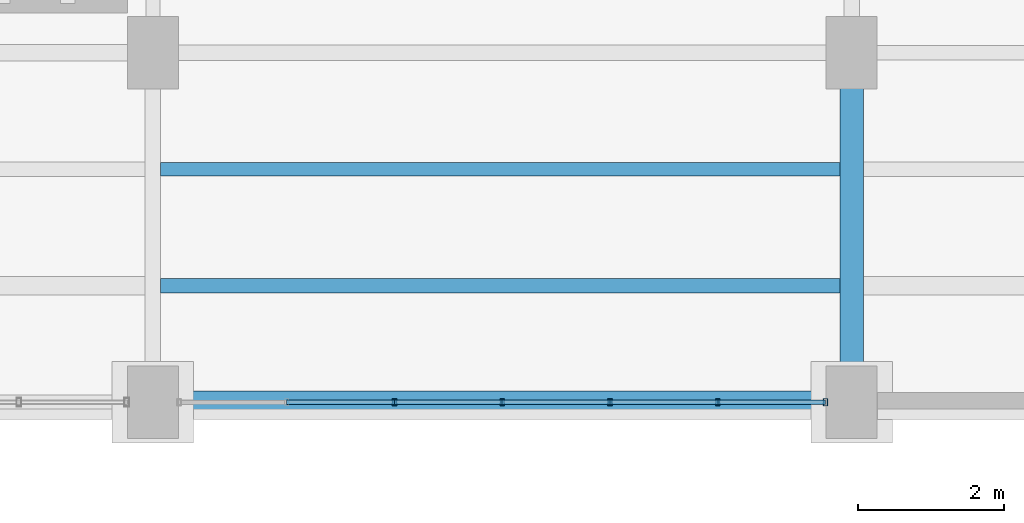
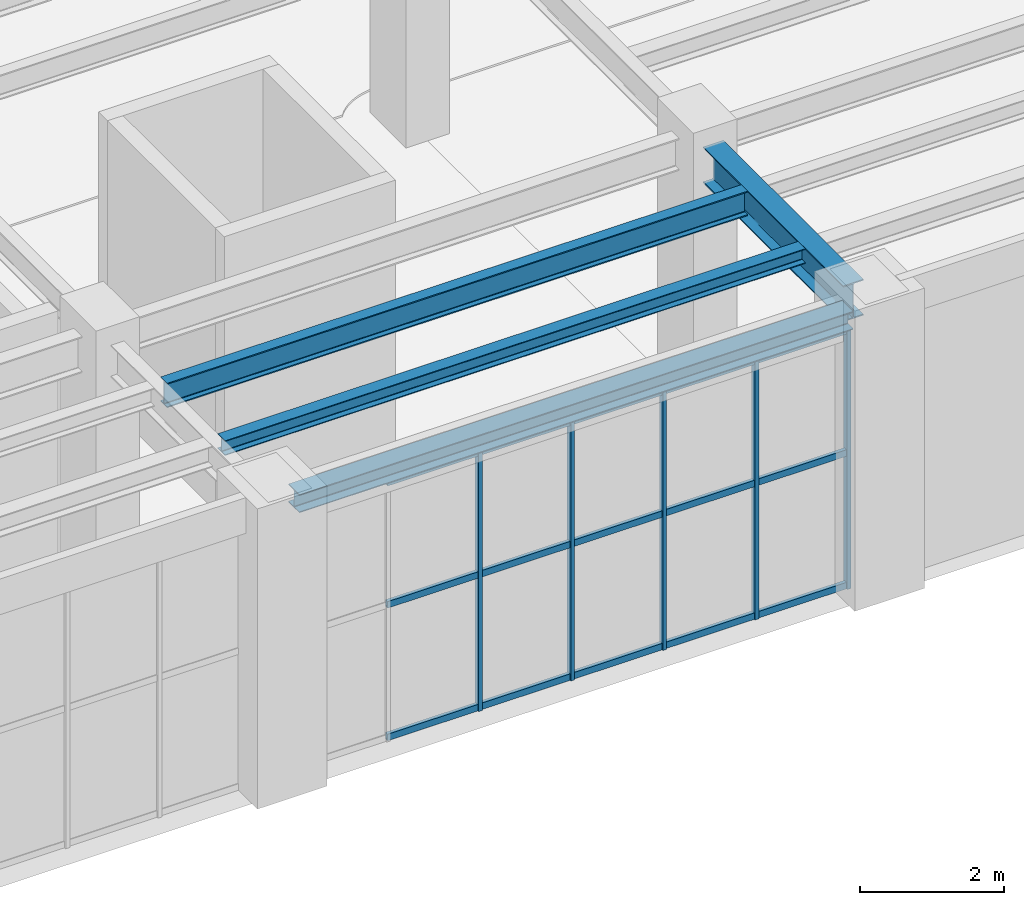
# One storey, part 58 of 174: 20 members, 4 beams, 1 element without a shape of its own.
"""IFC4 building model written with IfcOpenShell, lengths in metres."""

from ifc_helpers import new_model, si_unit, direction, frame, origin, origin_2d, place, context, subcontext, project, spatial, hollow_rectangle, i_section, extrude, material, material_profile, profile_set, type_object, element, aggregate, save


model = new_model("IFC4")

# Units and contexts
model_context = context("Model", 3, precision=1e-05, world=origin(), true_north=direction((0.0, 1.0)))
body_context = subcontext(model_context, "Body", "Model", "MODEL_VIEW")
ifc_project = project(units=[si_unit("LENGTHUNIT", "METRE"), si_unit("AREAUNIT", "SQUARE_METRE"), si_unit("VOLUMEUNIT", "CUBIC_METRE"), si_unit("PLANEANGLEUNIT", "RADIAN"), si_unit("MASSUNIT", "GRAM", prefix="KILO")], contexts=[model_context])

# Site, building, storey
site_placement = place(None, origin())
site = spatial("IfcSite", under=ifc_project, at=site_placement, CompositionType="ELEMENT")
building_placement = place(site_placement, origin())
building = spatial("IfcBuilding", under=site, at=building_placement, Name="Mavantir Sound Aquarium", CompositionType="ELEMENT")
storey_placement = place(building_placement, frame((0.0, 0.0, 5.39990234375)))
storey = spatial("IfcBuildingStorey", under=building, at=storey_placement, Name="L01", CompositionType="ELEMENT", Elevation=5.39990234375)

# Beams
ifc_material_1 = material(Name="Structural Steel ASTM A992 Gr50", Category="steel")
ifc_material_profile_1 = material_profile(ifc_material_1, i_section(OverallWidth=0.202880859375, OverallDepth=0.251953125, WebThickness=0.008056640625, FlangeThickness=0.013427734375, FilletRadius=0.011962890625, at=origin_2d()), Name="W250X58")
ifc_profile_set_1 = profile_set([ifc_material_profile_1], Name="Structural Steel ASTM A992 Gr50")
beam_type_1 = type_object("IfcBeamType", Name="BM-W250X58-I", PredefinedType="JOIST", material=ifc_profile_set_1)
beam_1_placement = place(storey_placement, frame((117.7060546875, 37.60009765625, 4.650146484375), z_axis=(1.0, 0.0, 0.0), x_axis=(0.0, 1.0, 0.0)))
element("IfcBeam", 1, at=beam_1_placement, inside=storey, type_object=beam_type_1, Name="L01 secondary floor joist SJ-25 724", PredefinedType="JOIST", context=body_context, shape_type="SweptSolid", body=[
    extrude(i_section(OverallWidth=0.202880859375, OverallDepth=0.251953125, WebThickness=0.008056640625, FlangeThickness=0.013427734375, FilletRadius=0.011962890625, at=origin_2d()), origin(), (0.0, 0.0, 1.0), 9.33203125),
])
ifc_material_profile_2 = material_profile(ifc_material_1, i_section(OverallWidth=0.304931640625, OverallDepth=0.30810546875, WebThickness=0.010009765625, FlangeThickness=0.015380859375, FilletRadius=0.014892578125, at=origin_2d()), Name="W310X97")
ifc_profile_set_2 = profile_set([ifc_material_profile_2], Name="Structural Steel ASTM A992 Gr50")
beam_type_2 = type_object("IfcBeamType", Name="BM-W310X97-E", PredefinedType="SPANDREL", material=ifc_profile_set_2)
beam_2_placement = place(storey_placement, frame((117.949951171875, 36.0, 4.6220703125), z_axis=(1.0, 0.0, 0.0), x_axis=(0.0, 1.0, 0.0)))
element("IfcBeam", 2, at=beam_2_placement, inside=storey, type_object=beam_type_2, Name="L01 primary beam SS-31A 1239", PredefinedType="SPANDREL", context=body_context, shape_type="SweptSolid", body=[
    extrude(i_section(OverallWidth=0.304931640625, OverallDepth=0.30810546875, WebThickness=0.010009765625, FlangeThickness=0.015380859375, FilletRadius=0.014892578125, at=origin_2d()), origin(), (0.0, 0.0, 1.0), 8.900146484375),
])
ifc_material_profile_3 = material_profile(ifc_material_1, i_section(OverallWidth=0.180908203125, OverallDepth=0.4169921875, WebThickness=0.010986328125, FlangeThickness=0.018310546875, FilletRadius=0.014892578125, at=origin_2d()), Name="W410X85")
ifc_profile_set_3 = profile_set([ifc_material_profile_3], Name="Structural Steel ASTM A992 Gr50")
beam_type_3 = type_object("IfcBeamType", Name="BM-W410X85-I", PredefinedType="JOIST", material=ifc_profile_set_3)
beam_3_placement = place(storey_placement, frame((117.7060546875, 39.199951171875, 4.567626953125), z_axis=(1.0, 0.0, 0.0), x_axis=(0.0, 1.0, 0.0)))
element("IfcBeam", 3, at=beam_3_placement, inside=storey, type_object=beam_type_3, Name="L01 secondary floor joist SJ-41 725", PredefinedType="JOIST", context=body_context, shape_type="SweptSolid", body=[
    extrude(i_section(OverallWidth=0.180908203125, OverallDepth=0.4169921875, WebThickness=0.010986328125, FlangeThickness=0.018310546875, FilletRadius=0.014892578125, at=origin_2d()), origin(), (0.0, 0.0, 1.0), 9.33203125),
])
ifc_material_profile_4 = material_profile(ifc_material_1, i_section(OverallWidth=0.323974609375, OverallDepth=0.611083984375, WebThickness=0.0126953125, FlangeThickness=0.01904296875, FilletRadius=0.01904296875, at=origin_2d()), Name="W610X155")
ifc_profile_set_4 = profile_set([ifc_material_profile_4], Name="Structural Steel ASTM A992 Gr50")
beam_type_4 = type_object("IfcBeamType", Name="BM-W610X155-I", PredefinedType="BEAM", material=ifc_profile_set_4)
beam_4_placement = place(storey_placement, frame((127.199951171875, 36.449951171875, 4.470703125), z_axis=(0.0, 1.0, 0.0), x_axis=(-1.0, 0.0, 0.0)))
element("IfcBeam", 4, at=beam_4_placement, inside=storey, type_object=beam_type_4, Name="L01 primary girder SB-61A 1312", PredefinedType="BEAM", context=body_context, shape_type="SweptSolid", body=[
    extrude(i_section(OverallWidth=0.323974609375, OverallDepth=0.611083984375, WebThickness=0.0126953125, FlangeThickness=0.01904296875, FilletRadius=0.01904296875, at=origin_2d()), origin(), (0.0, 0.0, 1.0), 3.900146484375),
])

# Curtain wall, members
ifc_material_2 = material(Name="Anodised Marine Aluminium and Low-E Glass", Category="aluminium")
curtain_wall_type = type_object("IfcCurtainWallType", Name="CW-T03", PredefinedType="USERDEFINED", material=ifc_material_2)
curtain_wall_placement = place(storey_placement, origin())
curtain_wall = element("IfcCurtainWall", 5, at=curtain_wall_placement, inside=storey, type_object=curtain_wall_type, Name="L01 unitised curtain wall CW-03 99", ObjectType="UNITISED GLAZING", PredefinedType="USERDEFINED")
ifc_material_3 = material(Name="Anodised Marine Aluminium 6063-T6", Category="aluminium")
ifc_material_profile_5 = material_profile(ifc_material_3, hollow_rectangle(XDim=0.06005859375, YDim=0.10009765625, WallThickness=0.00390625, at=origin_2d()), Name="ALU-MULLION-100X60")
ifc_profile_set_5 = profile_set([ifc_material_profile_5], Name="Anodised Marine Aluminium 6063-T6")
member_type_1 = type_object("IfcMemberType", Name="CW-MUL-100", PredefinedType="MULLION", material=ifc_profile_set_5)
member_1_placement = place(storey_placement, frame((120.919189453125, 36.0, 0.0), z_axis=(0.0, 0.0, 1.0), x_axis=(1.0, 0.0, 0.0)))
member_1 = element("IfcMember", 6, at=member_1_placement, type_object=member_type_1, Name="CW-L01-099 vertical mullion 3", PredefinedType="MULLION", context=body_context, shape_type="SweptSolid", body=[
    extrude(hollow_rectangle(XDim=0.06005859375, YDim=0.10009765625, WallThickness=0.00390625, at=origin_2d()), origin(), (0.0, 0.0, 1.0), 4.43798828125),
])
member_2_placement = place(storey_placement, frame((122.39990234375, 36.0, 0.0), z_axis=(0.0, 0.0, 1.0), x_axis=(1.0, 0.0, 0.0)))
member_2 = element("IfcMember", 7, at=member_2_placement, type_object=member_type_1, Name="CW-L01-099 vertical mullion 4", PredefinedType="MULLION", context=body_context, shape_type="SweptSolid", body=[
    extrude(hollow_rectangle(XDim=0.06005859375, YDim=0.10009765625, WallThickness=0.00390625, at=origin_2d()), origin(), (0.0, 0.0, 1.0), 4.43798828125),
])
member_3_placement = place(storey_placement, frame((123.880615234375, 36.0, 0.0), z_axis=(0.0, 0.0, 1.0), x_axis=(1.0, 0.0, 0.0)))
member_3 = element("IfcMember", 8, at=member_3_placement, type_object=member_type_1, Name="CW-L01-099 vertical mullion 5", PredefinedType="MULLION", context=body_context, shape_type="SweptSolid", body=[
    extrude(hollow_rectangle(XDim=0.06005859375, YDim=0.10009765625, WallThickness=0.00390625, at=origin_2d()), origin(), (0.0, 0.0, 1.0), 4.43798828125),
])
member_4_placement = place(storey_placement, frame((125.361328125, 36.0, 0.0), z_axis=(0.0, 0.0, 1.0), x_axis=(1.0, 0.0, 0.0)))
member_4 = element("IfcMember", 9, at=member_4_placement, type_object=member_type_1, Name="CW-L01-099 vertical mullion 6", PredefinedType="MULLION", context=body_context, shape_type="SweptSolid", body=[
    extrude(hollow_rectangle(XDim=0.06005859375, YDim=0.10009765625, WallThickness=0.00390625, at=origin_2d()), origin(), (0.0, 0.0, 1.0), 4.43798828125),
])
member_5_placement = place(storey_placement, frame((126.842041015625, 36.0, 0.0), z_axis=(0.0, 0.0, 1.0), x_axis=(1.0, 0.0, 0.0)))
member_5 = element("IfcMember", 10, at=member_5_placement, type_object=member_type_1, Name="CW-L01-099 vertical mullion 7", PredefinedType="MULLION", context=body_context, shape_type="SweptSolid", body=[
    extrude(hollow_rectangle(XDim=0.06005859375, YDim=0.10009765625, WallThickness=0.00390625, at=origin_2d()), origin(), (0.0, 0.0, 1.0), 4.43798828125),
])
ifc_material_profile_6 = material_profile(ifc_material_3, hollow_rectangle(XDim=0.06005859375, YDim=0.110107421875, WallThickness=0.00390625, at=origin_2d()), Name="ALU-TRANSOM-110X60")
ifc_profile_set_6 = profile_set([ifc_material_profile_6], Name="Anodised Marine Aluminium 6063-T6")
member_type_2 = type_object("IfcMemberType", Name="CW-TRN-110", PredefinedType="USERDEFINED", material=ifc_profile_set_6)
member_6_placement = place(storey_placement, frame((119.438720703125, 36.0, 0.05517578125), z_axis=(1.0, 0.0, 0.0), x_axis=(0.0, 1.0, 0.0)))
member_6 = element("IfcMember", 11, at=member_6_placement, type_object=member_type_2, Name="CW-L01-099 transom 2.1", ObjectType="TRANSOM", PredefinedType="USERDEFINED", context=body_context, shape_type="SweptSolid", body=[
    extrude(hollow_rectangle(XDim=0.06005859375, YDim=0.110107421875, WallThickness=0.00390625, at=origin_2d()), origin(), (0.0, 0.0, 1.0), 1.48046875),
])
member_7_placement = place(storey_placement, frame((119.438720703125, 36.0, 2.307861328125), z_axis=(1.0, 0.0, 0.0), x_axis=(0.0, 1.0, 0.0)))
member_7 = element("IfcMember", 12, at=member_7_placement, type_object=member_type_2, Name="CW-L01-099 transom 2.2", ObjectType="TRANSOM", PredefinedType="USERDEFINED", context=body_context, shape_type="SweptSolid", body=[
    extrude(hollow_rectangle(XDim=0.06005859375, YDim=0.110107421875, WallThickness=0.00390625, at=origin_2d()), origin(), (0.0, 0.0, 1.0), 1.48046875),
])
member_8_placement = place(storey_placement, frame((119.438720703125, 36.0, 4.383056640625), z_axis=(1.0, 0.0, 0.0), x_axis=(0.0, 1.0, 0.0)))
member_8 = element("IfcMember", 13, at=member_8_placement, type_object=member_type_2, Name="CW-L01-099 transom 2.3", ObjectType="TRANSOM", PredefinedType="USERDEFINED", context=body_context, shape_type="SweptSolid", body=[
    extrude(hollow_rectangle(XDim=0.06005859375, YDim=0.110107421875, WallThickness=0.00390625, at=origin_2d()), origin(), (0.0, 0.0, 1.0), 1.48046875),
])
member_9_placement = place(storey_placement, frame((120.919189453125, 36.0, 0.05517578125), z_axis=(1.0, 0.0, 0.0), x_axis=(0.0, 1.0, 0.0)))
member_9 = element("IfcMember", 14, at=member_9_placement, type_object=member_type_2, Name="CW-L01-099 transom 3.1", ObjectType="TRANSOM", PredefinedType="USERDEFINED", context=body_context, shape_type="SweptSolid", body=[
    extrude(hollow_rectangle(XDim=0.06005859375, YDim=0.110107421875, WallThickness=0.00390625, at=origin_2d()), origin(), (0.0, 0.0, 1.0), 1.480712890625),
])
member_10_placement = place(storey_placement, frame((120.919189453125, 36.0, 2.307861328125), z_axis=(1.0, 0.0, 0.0), x_axis=(0.0, 1.0, 0.0)))
member_10 = element("IfcMember", 15, at=member_10_placement, type_object=member_type_2, Name="CW-L01-099 transom 3.2", ObjectType="TRANSOM", PredefinedType="USERDEFINED", context=body_context, shape_type="SweptSolid", body=[
    extrude(hollow_rectangle(XDim=0.06005859375, YDim=0.110107421875, WallThickness=0.00390625, at=origin_2d()), origin(), (0.0, 0.0, 1.0), 1.480712890625),
])
member_11_placement = place(storey_placement, frame((120.919189453125, 36.0, 4.383056640625), z_axis=(1.0, 0.0, 0.0), x_axis=(0.0, 1.0, 0.0)))
member_11 = element("IfcMember", 16, at=member_11_placement, type_object=member_type_2, Name="CW-L01-099 transom 3.3", ObjectType="TRANSOM", PredefinedType="USERDEFINED", context=body_context, shape_type="SweptSolid", body=[
    extrude(hollow_rectangle(XDim=0.06005859375, YDim=0.110107421875, WallThickness=0.00390625, at=origin_2d()), origin(), (0.0, 0.0, 1.0), 1.480712890625),
])
member_12_placement = place(storey_placement, frame((122.39990234375, 36.0, 0.05517578125), z_axis=(1.0, 0.0, 0.0), x_axis=(0.0, 1.0, 0.0)))
member_12 = element("IfcMember", 17, at=member_12_placement, type_object=member_type_2, Name="CW-L01-099 transom 4.1", ObjectType="TRANSOM", PredefinedType="USERDEFINED", context=body_context, shape_type="SweptSolid", body=[
    extrude(hollow_rectangle(XDim=0.06005859375, YDim=0.110107421875, WallThickness=0.00390625, at=origin_2d()), origin(), (0.0, 0.0, 1.0), 1.480712890625),
])
member_13_placement = place(storey_placement, frame((122.39990234375, 36.0, 2.307861328125), z_axis=(1.0, 0.0, 0.0), x_axis=(0.0, 1.0, 0.0)))
member_13 = element("IfcMember", 18, at=member_13_placement, type_object=member_type_2, Name="CW-L01-099 transom 4.2", ObjectType="TRANSOM", PredefinedType="USERDEFINED", context=body_context, shape_type="SweptSolid", body=[
    extrude(hollow_rectangle(XDim=0.06005859375, YDim=0.110107421875, WallThickness=0.00390625, at=origin_2d()), origin(), (0.0, 0.0, 1.0), 1.480712890625),
])
member_14_placement = place(storey_placement, frame((122.39990234375, 36.0, 4.383056640625), z_axis=(1.0, 0.0, 0.0), x_axis=(0.0, 1.0, 0.0)))
member_14 = element("IfcMember", 19, at=member_14_placement, type_object=member_type_2, Name="CW-L01-099 transom 4.3", ObjectType="TRANSOM", PredefinedType="USERDEFINED", context=body_context, shape_type="SweptSolid", body=[
    extrude(hollow_rectangle(XDim=0.06005859375, YDim=0.110107421875, WallThickness=0.00390625, at=origin_2d()), origin(), (0.0, 0.0, 1.0), 1.480712890625),
])
member_15_placement = place(storey_placement, frame((123.880615234375, 36.0, 0.05517578125), z_axis=(1.0, 0.0, 0.0), x_axis=(0.0, 1.0, 0.0)))
member_15 = element("IfcMember", 20, at=member_15_placement, type_object=member_type_2, Name="CW-L01-099 transom 5.1", ObjectType="TRANSOM", PredefinedType="USERDEFINED", context=body_context, shape_type="SweptSolid", body=[
    extrude(hollow_rectangle(XDim=0.06005859375, YDim=0.110107421875, WallThickness=0.00390625, at=origin_2d()), origin(), (0.0, 0.0, 1.0), 1.480712890625),
])
member_16_placement = place(storey_placement, frame((123.880615234375, 36.0, 2.307861328125), z_axis=(1.0, 0.0, 0.0), x_axis=(0.0, 1.0, 0.0)))
member_16 = element("IfcMember", 21, at=member_16_placement, type_object=member_type_2, Name="CW-L01-099 transom 5.2", ObjectType="TRANSOM", PredefinedType="USERDEFINED", context=body_context, shape_type="SweptSolid", body=[
    extrude(hollow_rectangle(XDim=0.06005859375, YDim=0.110107421875, WallThickness=0.00390625, at=origin_2d()), origin(), (0.0, 0.0, 1.0), 1.480712890625),
])
member_17_placement = place(storey_placement, frame((123.880615234375, 36.0, 4.383056640625), z_axis=(1.0, 0.0, 0.0), x_axis=(0.0, 1.0, 0.0)))
member_17 = element("IfcMember", 22, at=member_17_placement, type_object=member_type_2, Name="CW-L01-099 transom 5.3", ObjectType="TRANSOM", PredefinedType="USERDEFINED", context=body_context, shape_type="SweptSolid", body=[
    extrude(hollow_rectangle(XDim=0.06005859375, YDim=0.110107421875, WallThickness=0.00390625, at=origin_2d()), origin(), (0.0, 0.0, 1.0), 1.480712890625),
])
member_18_placement = place(storey_placement, frame((125.361328125, 36.0, 0.05517578125), z_axis=(1.0, 0.0, 0.0), x_axis=(0.0, 1.0, 0.0)))
member_18 = element("IfcMember", 23, at=member_18_placement, type_object=member_type_2, Name="CW-L01-099 transom 6.1", ObjectType="TRANSOM", PredefinedType="USERDEFINED", context=body_context, shape_type="SweptSolid", body=[
    extrude(hollow_rectangle(XDim=0.06005859375, YDim=0.110107421875, WallThickness=0.00390625, at=origin_2d()), origin(), (0.0, 0.0, 1.0), 1.480712890625),
])
member_19_placement = place(storey_placement, frame((125.361328125, 36.0, 2.307861328125), z_axis=(1.0, 0.0, 0.0), x_axis=(0.0, 1.0, 0.0)))
member_19 = element("IfcMember", 24, at=member_19_placement, type_object=member_type_2, Name="CW-L01-099 transom 6.2", ObjectType="TRANSOM", PredefinedType="USERDEFINED", context=body_context, shape_type="SweptSolid", body=[
    extrude(hollow_rectangle(XDim=0.06005859375, YDim=0.110107421875, WallThickness=0.00390625, at=origin_2d()), origin(), (0.0, 0.0, 1.0), 1.480712890625),
])
member_20_placement = place(storey_placement, frame((125.361328125, 36.0, 4.383056640625), z_axis=(1.0, 0.0, 0.0), x_axis=(0.0, 1.0, 0.0)))
member_20 = element("IfcMember", 25, at=member_20_placement, type_object=member_type_2, Name="CW-L01-099 transom 6.3", ObjectType="TRANSOM", PredefinedType="USERDEFINED", context=body_context, shape_type="SweptSolid", body=[
    extrude(hollow_rectangle(XDim=0.06005859375, YDim=0.110107421875, WallThickness=0.00390625, at=origin_2d()), origin(), (0.0, 0.0, 1.0), 1.480712890625),
])
aggregate(curtain_wall, [member_1, member_2, member_3, member_4, member_5, member_6, member_7, member_8, member_9, member_10, member_11, member_12, member_13, member_14, member_15, member_16, member_17, member_18, member_19, member_20])

save(model, "model.ifc")
